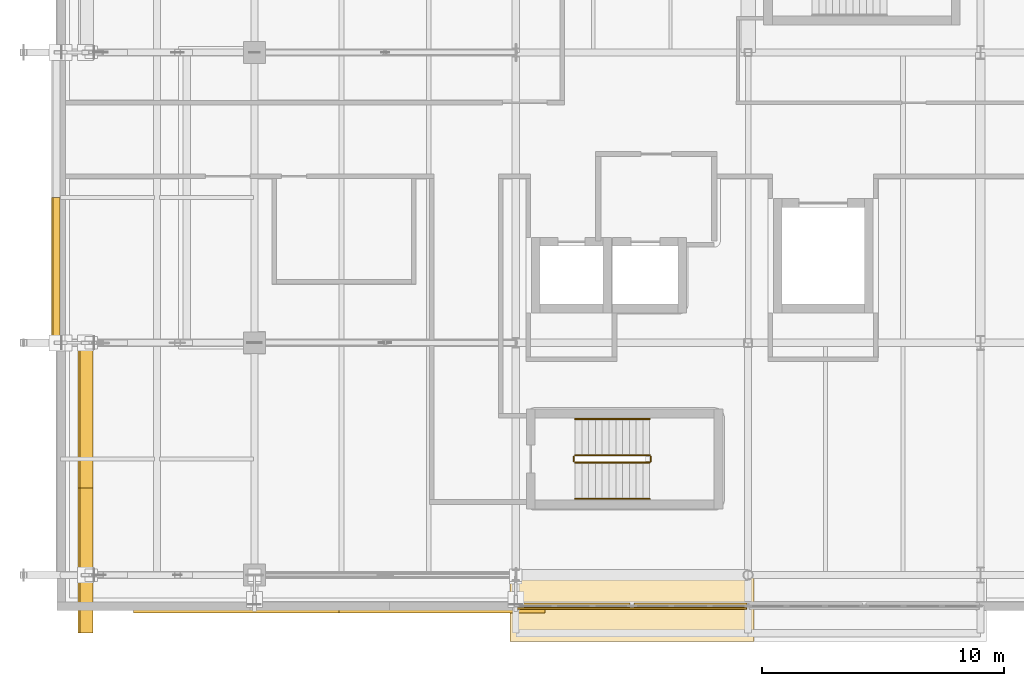
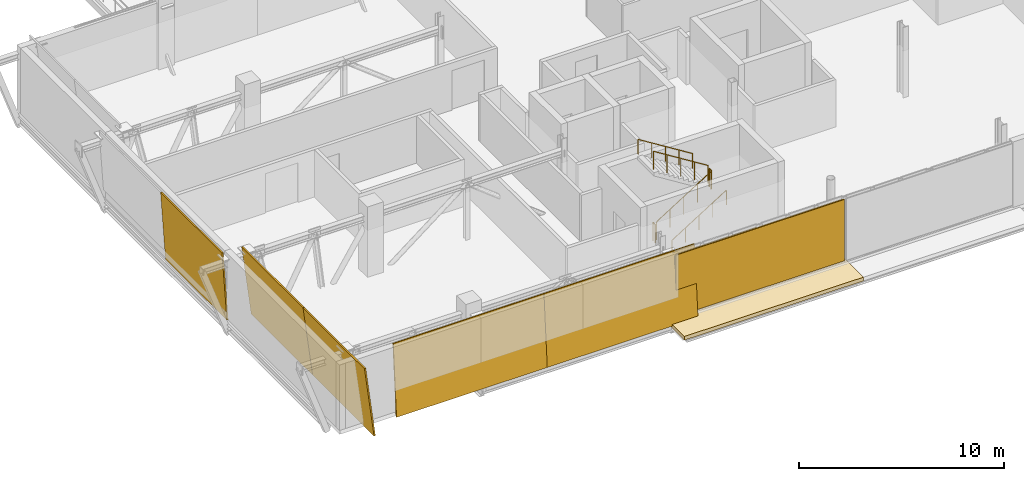
# One storey, part 48 of 57: 8 coverings, 6 railings, 1 shading device.
"""IFC4 building model written with IfcOpenShell, lengths in metres."""

from ifc_helpers import new_model, si_unit, direction, frame, origin, origin_2d, place, context, subcontext, project, spatial, polyline, rectangle, circle, outline, extrude, material, layer, layer_set, type_object, element, save


model = new_model("IFC4")

# Units and contexts
model_context = context("Model", 3, precision=1e-05, world=origin(), true_north=direction((0.0, 1.0)))
body_context = subcontext(model_context, "Body", "Model", "MODEL_VIEW")
ifc_project = project(units=[si_unit("LENGTHUNIT", "METRE"), si_unit("AREAUNIT", "SQUARE_METRE"), si_unit("VOLUMEUNIT", "CUBIC_METRE"), si_unit("PLANEANGLEUNIT", "RADIAN"), si_unit("MASSUNIT", "GRAM", prefix="KILO")], contexts=[model_context])

# Site, building, storey
site_placement = place(None, origin())
site = spatial("IfcSite", under=ifc_project, at=site_placement, CompositionType="ELEMENT")
building_placement = place(site_placement, origin())
building = spatial("IfcBuilding", under=site, at=building_placement, Name="Zereglee Splitstone Museum", CompositionType="ELEMENT")
storey_placement = place(building_placement, frame((0.0, 0.0, 17.10009765625)))
storey = spatial("IfcBuildingStorey", under=building, at=storey_placement, Name="L03", CompositionType="ELEMENT", Elevation=17.10009765625)

# Coverings
ifc_material_1 = material(Name="Honed Gobi pale limestone stringcourse and soffit cladding", Category="masonry")
ifc_layer_1 = layer(ifc_material_1, 0.070068359375)
ifc_layer_set_1 = layer_set([ifc_layer_1], Name="Honed Gobi pale limestone stringcourse and soffit cladding")
covering_type_1 = type_object("IfcCoveringType", Name="CL-02", PredefinedType="CLADDING", material=ifc_layer_set_1)
for number, where, z_axis, x_axis, name in (
    (1, (22.780029296875, -1.280029296875, 2.9248046875), (0.0, 0.0, 1.0), (1.0, 0.0, 0.0), "Mughal Carved Clerestory Jaali Frieze RC4-CW-L03-114-1"),
    (2, (27.6201171875, -1.280029296875, 2.90478515625), (0.0, 0.0, 1.0), (1.0, 0.0, 0.0), "Mughal Carved Clerestory Jaali Frieze RC4-CW-L03-114-2"),
):
    element("IfcCovering", number, at=place(storey_placement, frame(where, z_axis=z_axis, x_axis=x_axis)), inside=storey, type_object=covering_type_1, Name=name, PredefinedType="CLADDING", context=body_context, shape_type="SweptSolid", body=[
        extrude(rectangle(XDim=4.679931640625, YDim=0.239990234375, at=origin_2d()), origin(), (0.0, 0.0, 1.0), 0.75),
    ])
for number, where, z_axis, x_axis, name in (
    (3, (4.60009765625, -1.570068359375, -0.25), (0.0, -0.997042541012, 0.076851619449), (1.0, 0.0, 0.0), "Split-Rock Continuous Inclined Facet FH-V1S-W L03.1"),
    (4, (13.10009765625, -1.570068359375, -0.25), (0.0, -0.997042541012, 0.076851619449), (1.0, 0.0, 0.0), "Split-Rock Continuous Inclined Facet FH-V1S-W L03.2"),
):
    element("IfcCovering", number, at=place(storey_placement, frame(where, z_axis=z_axis, x_axis=x_axis)), inside=storey, type_object=covering_type_1, Name=name, PredefinedType="CLADDING", context=body_context, shape_type="SweptSolid", body=[
        extrude(outline(polyline([(0.0, 0.0), (8.5, 0.0), (8.5, 4.212409199321842), (0.0, 4.212409199321842), (0.0, 0.0)])), origin(), (0.0, 0.0, -1.0), 0.070068359375),
    ])
ifc_material_2 = material(Name="Honed Khoroo red sandstone ventilated rainscreen", Category="masonry")
ifc_layer_2 = layer(ifc_material_2, 0.080078125)
ifc_layer_set_2 = layer_set([ifc_layer_2], Name="Honed Khoroo red sandstone ventilated rainscreen")
covering_type_2 = type_object("IfcCoveringType", Name="CL-01", PredefinedType="CLADDING", material=ifc_layer_set_2)
for number, where, z_axis, x_axis, name in (
    (5, (2.30712890625, -2.39990234375, 3.949951171875), (-0.991724676305, 0.0, -0.128382889852), (0.0, 1.0, 0.0), "Split-Rock Continuous Inclined Facet FH-V1W-S L03.1"),
    (6, (2.30712890625, 3.60009765625, 3.949951171875), (-0.991724676305, 0.0, -0.128382889852), (0.0, 1.0, 0.0), "Split-Rock Continuous Inclined Facet FH-V1W-S L03.2"),
):
    element("IfcCovering", number, at=place(storey_placement, frame(where, z_axis=z_axis, x_axis=x_axis)), inside=storey, type_object=covering_type_2, Name=name, PredefinedType="CLADDING", context=body_context, shape_type="SweptSolid", body=[
        extrude(outline(polyline([(0.0, 0.0), (6.0, 0.0), (6.0, 4.234997144087872), (0.0, 4.234997144087872), (0.0, 0.0)])), origin(), (0.0, 0.0, -1.0), 0.080078125),
    ])
covering_1_placement = place(storey_placement, frame((1.202392578125, 9.60009765625, 3.949951171875), z_axis=(-0.997704863056, 0.0, -0.067712674106), x_axis=(0.0, 1.0, 0.0)))
element("IfcCovering", 7, at=covering_1_placement, inside=storey, type_object=covering_type_2, Name="Split-Rock Continuous Inclined Facet FH-V1W-M L03.1", PredefinedType="CLADDING", context=body_context, shape_type="SweptSolid", body=[
    extrude(outline(polyline([(0.0, 0.0), (6.0, 0.0), (6.0, 4.099496797176319), (0.0, 4.099496797176319), (0.0, 0.0)])), origin(), (0.0, 0.0, -1.0), 0.080078125),
])

# Railings
ifc_material_3 = material(Name="Painted steel S355J2 post-and-baluster guard", Category="steel")
railing_type_1 = type_object("IfcRailingType", Name="GR-03", PredefinedType="BALUSTRADE", material=ifc_material_3)
railing_1_placement = place(storey_placement, frame((22.85009765625, 4.64990234375, 0.1748046875)))
element("IfcRailing", 8, at=railing_1_placement, inside=storey, type_object=railing_type_1, Name="L03 ST-01 stair guard 1", PredefinedType="BALUSTRADE", context=body_context, shape_type="SweptSolid", body=[
    extrude(circle(Radius=0.02392578125, at=origin_2d()), frame((0.0, 0.0, 1.076416015625), z_axis=(0.847979421464, 0.0, 0.530029150871), x_axis=(0.0, 1.0, 0.0)), (0.0, 0.0, 1.0), 3.632080078125),
    extrude(circle(Radius=0.02099609375, at=origin_2d()), origin(), (0.0, 0.0, 1.0), 1.052001953125),
    extrude(circle(Radius=0.02099609375, at=origin_2d()), frame((0.77001953125, 0.0, 0.481201171875)), (0.0, 0.0, 1.0), 1.052001953125),
    extrude(circle(Radius=0.02099609375, at=origin_2d()), frame((1.5400390625, 0.0, 0.96240234375)), (0.0, 0.0, 1.0), 1.052001953125),
    extrude(circle(Radius=0.02099609375, at=origin_2d()), frame((2.309814453125, 0.0, 1.44384765625)), (0.0, 0.0, 1.0), 1.052001953125),
    extrude(circle(Radius=0.02099609375, at=origin_2d()), frame((3.079833984375, 0.0, 1.925048828125)), (0.0, 0.0, 1.0), 1.052001953125),
])
railing_2_placement = place(storey_placement, frame((25.97998046875, 4.699951171875, 2.099853515625)))
element("IfcRailing", 9, at=railing_2_placement, inside=storey, type_object=railing_type_1, Name="L03 ST-01 stair guard 2", PredefinedType="BALUSTRADE", context=body_context, shape_type="SweptSolid", body=[
    extrude(circle(Radius=0.02392578125, at=origin_2d()), frame((0.0, 0.0, 1.076416015625), z_axis=(0.0, 1.0, 0.0), x_axis=(-1.0, 0.0, 0.0)), (0.0, 0.0, 1.0), 0.199951171875),
    extrude(circle(Radius=0.02099609375, at=origin_2d()), origin(), (0.0, 0.0, 1.0), 1.052001953125),
    extrude(circle(Radius=0.02099609375, at=origin_2d()), frame((0.0, 0.199951171875, 0.0)), (0.0, 0.0, 1.0), 1.052001953125),
])
railing_3_placement = place(storey_placement, frame((25.929931640625, 4.949951171875, 2.27490234375)))
element("IfcRailing", 10, at=railing_3_placement, inside=storey, type_object=railing_type_1, Name="L03 ST-01 stair guard 3", PredefinedType="BALUSTRADE", context=body_context, shape_type="SweptSolid", body=[
    extrude(circle(Radius=0.02392578125, at=origin_2d()), frame((0.0, 0.0, 1.076416015625), z_axis=(-0.847979421464, 0.0, 0.530029150871), x_axis=(0.0, -1.0, 0.0)), (0.0, 0.0, 1.0), 3.632080078125),
    extrude(circle(Radius=0.02099609375, at=origin_2d()), origin(), (0.0, 0.0, 1.0), 1.052001953125),
    extrude(circle(Radius=0.02099609375, at=origin_2d()), frame((-0.77001953125, 0.0, 0.481201171875)), (0.0, 0.0, 1.0), 1.052001953125),
    extrude(circle(Radius=0.02099609375, at=origin_2d()), frame((-1.5400390625, 0.0, 0.96240234375)), (0.0, 0.0, 1.0), 1.052001953125),
    extrude(circle(Radius=0.02099609375, at=origin_2d()), frame((-2.309814453125, 0.0, 1.44384765625)), (0.0, 0.0, 1.0), 1.052001953125),
    extrude(circle(Radius=0.02099609375, at=origin_2d()), frame((-3.079833984375, 0.0, 1.925048828125)), (0.0, 0.0, 1.0), 1.052001953125),
])
railing_4_placement = place(storey_placement, frame((22.800048828125, 4.699951171875, 0.0)))
element("IfcRailing", 11, at=railing_4_placement, inside=storey, type_object=railing_type_1, Name="L03 ST-01 stair guard 4", PredefinedType="BALUSTRADE", context=body_context, shape_type="SweptSolid", body=[
    extrude(circle(Radius=0.02392578125, at=origin_2d()), frame((0.0, 0.0, 1.076416015625), z_axis=(0.0, 1.0, 0.0), x_axis=(-1.0, 0.0, 0.0)), (0.0, 0.0, 1.0), 0.199951171875),
    extrude(circle(Radius=0.02099609375, at=origin_2d()), origin(), (0.0, 0.0, 1.0), 1.052001953125),
    extrude(circle(Radius=0.02099609375, at=origin_2d()), frame((0.0, 0.199951171875, 0.0)), (0.0, 0.0, 1.0), 1.052001953125),
])
ifc_material_4 = material(Name="Architectural bronze tubular handrail", Category="steel")
railing_type_2 = type_object("IfcRailingType", Name="HR-01", PredefinedType="HANDRAIL", material=ifc_material_4)
railing_5_placement = place(storey_placement, frame((22.85009765625, 3.14990234375, 0.1748046875)))
element("IfcRailing", 12, at=railing_5_placement, inside=storey, type_object=railing_type_2, Name="L03 ST-01 stair handrail 1", PredefinedType="HANDRAIL", context=body_context, shape_type="SweptSolid", body=[
    extrude(circle(Radius=0.02392578125, at=origin_2d()), frame((0.0, 0.0, 0.8759765625), z_axis=(0.847979421464, 0.0, 0.530029150871), x_axis=(0.0, 1.0, 0.0)), (0.0, 0.0, 1.0), 3.632080078125),
    extrude(circle(Radius=0.02099609375, at=origin_2d()), origin(), (0.0, 0.0, 1.0), 0.851806640625),
    extrude(circle(Radius=0.02099609375, at=origin_2d()), frame((0.77001953125, 0.0, 0.481201171875)), (0.0, 0.0, 1.0), 0.851806640625),
    extrude(circle(Radius=0.02099609375, at=origin_2d()), frame((1.5400390625, 0.0, 0.96240234375)), (0.0, 0.0, 1.0), 0.851806640625),
    extrude(circle(Radius=0.02099609375, at=origin_2d()), frame((2.309814453125, 0.0, 1.44384765625)), (0.0, 0.0, 1.0), 0.851806640625),
    extrude(circle(Radius=0.02099609375, at=origin_2d()), frame((3.079833984375, 0.0, 1.925048828125)), (0.0, 0.0, 1.0), 0.851806640625),
])
railing_6_placement = place(storey_placement, frame((25.929931640625, 6.449951171875, 2.27490234375)))
element("IfcRailing", 13, at=railing_6_placement, inside=storey, type_object=railing_type_2, Name="L03 ST-01 stair handrail 2", PredefinedType="HANDRAIL", context=body_context, shape_type="SweptSolid", body=[
    extrude(circle(Radius=0.02392578125, at=origin_2d()), frame((0.0, 0.0, 0.8759765625), z_axis=(-0.847979421464, 0.0, 0.530029150871), x_axis=(0.0, -1.0, 0.0)), (0.0, 0.0, 1.0), 3.632080078125),
    extrude(circle(Radius=0.02099609375, at=origin_2d()), origin(), (0.0, 0.0, 1.0), 0.851806640625),
    extrude(circle(Radius=0.02099609375, at=origin_2d()), frame((-0.77001953125, 0.0, 0.481201171875)), (0.0, 0.0, 1.0), 0.851806640625),
    extrude(circle(Radius=0.02099609375, at=origin_2d()), frame((-1.5400390625, 0.0, 0.96240234375)), (0.0, 0.0, 1.0), 0.851806640625),
    extrude(circle(Radius=0.02099609375, at=origin_2d()), frame((-2.309814453125, 0.0, 1.44384765625)), (0.0, 0.0, 1.0), 0.851806640625),
    extrude(circle(Radius=0.02099609375, at=origin_2d()), frame((-3.079833984375, 0.0, 1.925048828125)), (0.0, 0.0, 1.0), 0.851806640625),
])

# Shading device
ifc_material_5 = material(Name="Patinated architectural bronze CuSn8 geometric jali screen")
ifc_layer_3 = layer(ifc_material_5, 0.06005859375)
ifc_layer_set_3 = layer_set([ifc_layer_3], Name="Patinated architectural bronze CuSn8 geometric jali screen")
shading_device_type = type_object("IfcShadingDeviceType", Name="JL-01", PredefinedType="USERDEFINED", material=ifc_layer_set_3)
shading_device_placement = place(storey_placement, frame((20.449951171875, -1.360107421875, 0.119873046875), z_axis=(0.0, -1.0, 0.0), x_axis=(1.0, 0.0, 0.0)))
element("IfcShadingDevice", 14, at=shading_device_placement, inside=storey, type_object=shading_device_type, Name="Bronze Mughal Jali Screen 31", ObjectType="SCREEN", PredefinedType="USERDEFINED", context=body_context, shape_type="SweptSolid", body=[
    extrude(outline(polyline([(0.0, 0.0), (9.5, 0.0), (9.5, 3.659912109375), (0.0, 3.659912109375), (0.0, 0.0)])), origin(), (0.0, 0.0, 1.0), 0.06005859375),
])

# Covering
ifc_material_6 = material(Name="Honed Khoroo red sandstone chhajja eave coping", Category="masonry")
ifc_layer_4 = layer(ifc_material_6, 0.110107421875)
ifc_layer_set_4 = layer_set([ifc_layer_4], Name="Honed Khoroo red sandstone chhajja eave coping")
covering_type_3 = type_object("IfcCoveringType", Name="RF-C2", PredefinedType="ROOFING", material=ifc_layer_set_4)
covering_2_placement = place(storey_placement, frame((0.0, 0.0, -0.375)))
element("IfcCovering", 15, at=covering_2_placement, inside=storey, type_object=covering_type_3, Name="Mughal Pishtaq Carved Cornice Deck PSQ-SV1-1", PredefinedType="ROOFING", context=body_context, shape_type="SweptSolid", body=[
    extrude(outline(polyline([(20.14990234375, -2.75), (30.25, -2.75), (30.25, 0.050048828125), (20.14990234375, 0.050048828125), (20.14990234375, -2.75)])), origin(), (0.0, 0.0, 1.0), 0.219970703125),
])

save(model, "model.ifc")
